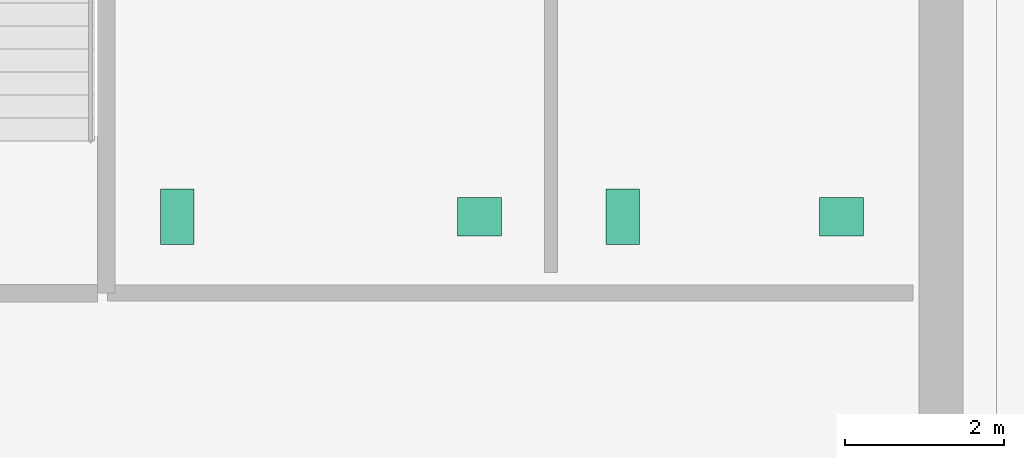
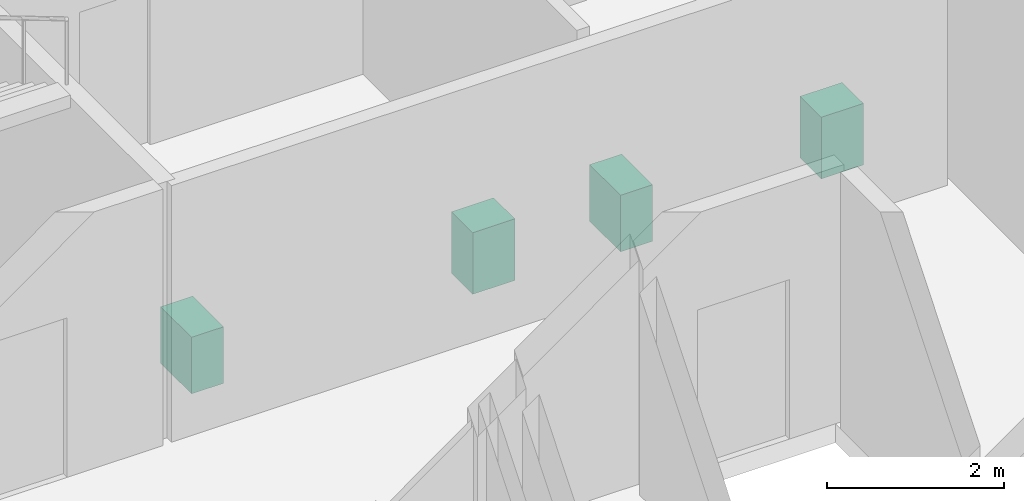
# One storey, part 10 of 10: 4 sanitary terminals.
"""IFC4 building model written with IfcOpenShell, lengths in metres."""

from ifc_helpers import new_model, si_unit, direction, frame, origin, origin_2d, place, context, subcontext, project, spatial, rectangle, extrude, material, type_object, element, save


model = new_model("IFC4")

# Units and contexts
model_context = context("Model", 3, precision=1e-05, world=origin(), true_north=direction((0.0, 1.0)))
body_context = subcontext(model_context, "Body", "Model", "MODEL_VIEW")
ifc_project = project(units=[si_unit("LENGTHUNIT", "METRE"), si_unit("AREAUNIT", "SQUARE_METRE"), si_unit("VOLUMEUNIT", "CUBIC_METRE"), si_unit("PLANEANGLEUNIT", "RADIAN"), si_unit("MASSUNIT", "GRAM", prefix="KILO")], contexts=[model_context])

# Site, building, storey
site_placement = place(None, origin())
site = spatial("IfcSite", under=ifc_project, at=site_placement, CompositionType="ELEMENT")
building_placement = place(site_placement, origin())
building = spatial("IfcBuilding", under=site, at=building_placement, Name="Norrvale University Quadrangle", CompositionType="ELEMENT")
storey_placement = place(building_placement, frame((0.0, 0.0, 292.39990234375)))
storey = spatial("IfcBuildingStorey", under=building, at=storey_placement, Name="L74", CompositionType="ELEMENT", Elevation=292.39990234375)

# Sanitary terminals
ifc_material = material(Name="Vitreous China Sanitaryware")
sanitary_terminal_type_1 = type_object("IfcSanitaryTerminalType", Name="Sanitary Wash Basin", PredefinedType="WASHHANDBASIN", material=ifc_material)
for number, where, z_axis, x_axis, name in (
    (1, (11.0, 41.10009765625, 0.0), (0.0, 0.0, 1.0), (1.0, 0.0, 0.0), "Accessible Countertop Washbasin L74-1"),
    (2, (15.550048828125, 41.10009765625, 0.0), (0.0, 0.0, 1.0), (1.0, 0.0, 0.0), "Accessible Countertop Washbasin L74-2"),
):
    element("IfcSanitaryTerminal", number, at=place(storey_placement, frame(where, z_axis=z_axis, x_axis=x_axis)), inside=storey, type_object=sanitary_terminal_type_1, Name=name, PredefinedType="WASHHANDBASIN", context=body_context, shape_type="SweptSolid", body=[
        extrude(rectangle(XDim=0.550048828125, YDim=0.47998046875, at=origin_2d()), origin(), (0.0, 0.0, 1.0), 0.85009765625),
    ])
sanitary_terminal_type_2 = type_object("IfcSanitaryTerminalType", Name="Sanitary Water Closet", PredefinedType="TOILETPAN", material=ifc_material)
for number, where, z_axis, x_axis, name in (
    (3, (7.199951171875, 41.10009765625, 0.0), (0.0, 0.0, 1.0), (1.0, 0.0, 0.0), "Wall-Hung Water Closet L74-1"),
    (4, (12.800048828125, 41.10009765625, 0.0), (0.0, 0.0, 1.0), (1.0, 0.0, 0.0), "Wall-Hung Water Closet L74-2"),
):
    element("IfcSanitaryTerminal", number, at=place(storey_placement, frame(where, z_axis=z_axis, x_axis=x_axis)), inside=storey, type_object=sanitary_terminal_type_2, Name=name, PredefinedType="TOILETPAN", context=body_context, shape_type="SweptSolid", body=[
        extrude(rectangle(XDim=0.419921875, YDim=0.699951171875, at=origin_2d()), origin(), (0.0, 0.0, 1.0), 0.780029296875),
    ])

save(model, "model.ifc")
